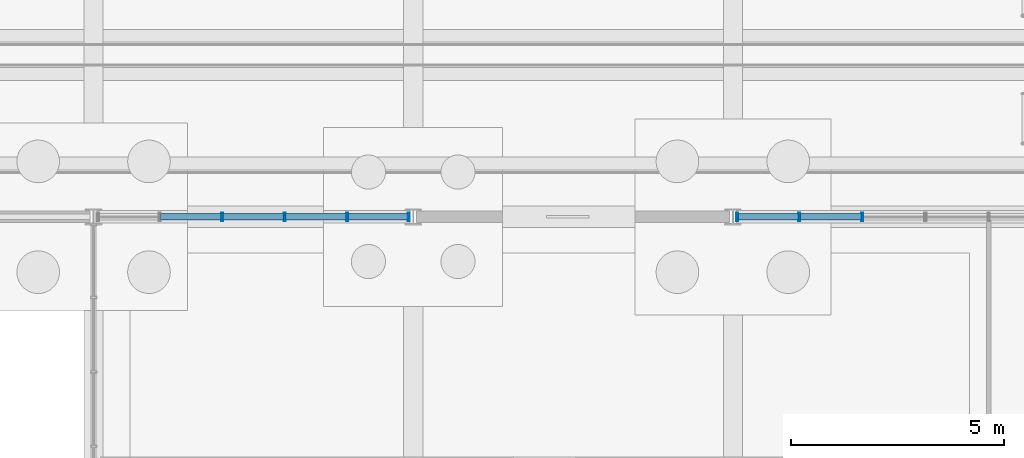
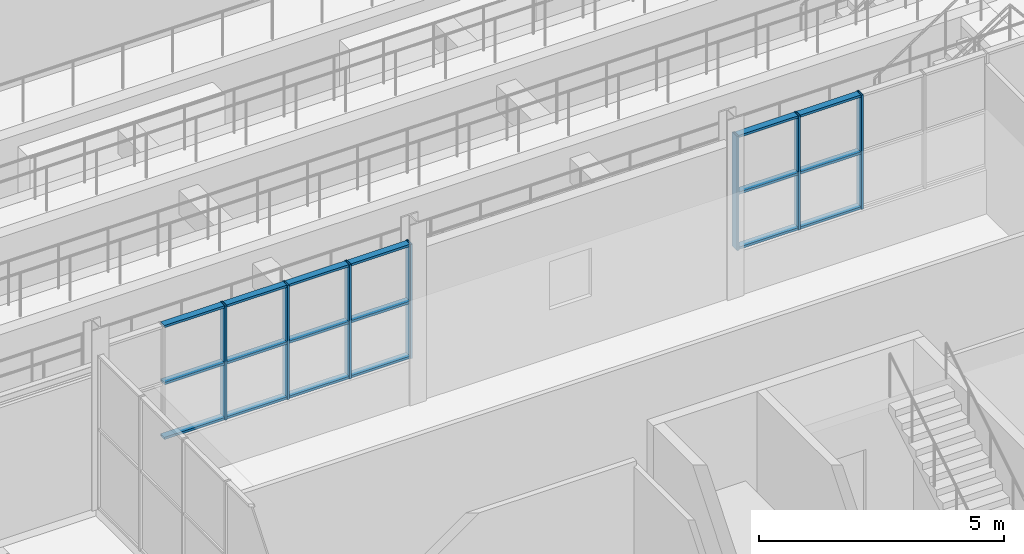
# One storey, part 73 of 136: 25 members, 2 elements without a shape of their own.
"""IFC4 building model written with IfcOpenShell, lengths in metres."""

from ifc_helpers import new_model, si_unit, direction, frame, origin, origin_2d, place, context, subcontext, project, spatial, hollow_rectangle, extrude, material, layer, layer_set, material_profile, profile_set, type_object, element, aggregate, save


model = new_model("IFC4")

# Units and contexts
model_context = context("Model", 3, precision=1e-05, world=origin(), true_north=direction((0.0, 1.0)))
body_context = subcontext(model_context, "Body", "Model", "MODEL_VIEW")
ifc_project = project(units=[si_unit("LENGTHUNIT", "METRE"), si_unit("AREAUNIT", "SQUARE_METRE"), si_unit("VOLUMEUNIT", "CUBIC_METRE"), si_unit("PLANEANGLEUNIT", "RADIAN"), si_unit("MASSUNIT", "GRAM", prefix="KILO")], contexts=[model_context])

# Site, building, storey
site_placement = place(None, origin())
site = spatial("IfcSite", under=ifc_project, at=site_placement, CompositionType="ELEMENT")
building_placement = place(site_placement, origin())
building = spatial("IfcBuilding", under=site, at=building_placement, Name="Solvenia Promenade Tram Depot", CompositionType="ELEMENT")
storey_placement = place(building_placement, origin())
storey = spatial("IfcBuildingStorey", under=building, at=storey_placement, Name="L00", CompositionType="ELEMENT", Elevation=0.0)

# Curtain wall, members
ifc_material = material(Name="Anodized aluminium AW-6063 T6", Category="aluminium")
ifc_layer = layer(ifc_material, 0.179931640625, Name="Anodized aluminium AW-6063 T6", Category="aluminium")
ifc_layer_set = layer_set([ifc_layer], Name="Anodized aluminium AW-6063 T6")
curtain_wall_type = type_object("IfcCurtainWallType", Name="CW-Solar-1500", PredefinedType="NOTDEFINED", material=ifc_layer_set)
curtain_wall_1_placement = place(storey_placement, origin())
curtain_wall_1 = element("IfcCurtainWall", 1, at=curtain_wall_1_placement, inside=storey, type_object=curtain_wall_type, Name="Curtain Wall CW-V2S-L0-05", PredefinedType="NOTDEFINED")
ifc_material_profile_1 = material_profile(ifc_material, hollow_rectangle(XDim=0.199951171875, YDim=0.048095703125, WallThickness=0.00390625, at=origin_2d()), Name="ALU-M3", Category="aluminium")
ifc_profile_set_1 = profile_set([ifc_material_profile_1], Name="Anodized aluminium AW-6063 T6")
member_type_1 = type_object("IfcMemberType", Name="CWM-Mullion-3", PredefinedType="MULLION", material=ifc_profile_set_1)
member_1_placement = place(storey_placement, frame((138.01611328125, 24.0, 1.10009765625), z_axis=(0.0, 0.0, 1.0), x_axis=(0.0, 1.0, 0.0)))
member_1 = element("IfcMember", 2, at=member_1_placement, type_object=member_type_1, Name="CW-7 mullion 3", PredefinedType="MULLION", context=body_context, shape_type="SweptSolid", body=[
    extrude(hollow_rectangle(XDim=0.199951171875, YDim=0.048095703125, WallThickness=0.00390625, at=origin_2d()), origin(), (0.0, 0.0, 1.0), 2.849853515625),
])
member_2_placement = place(storey_placement, frame((139.48388671875, 24.0, 1.10009765625), z_axis=(0.0, 0.0, 1.0), x_axis=(0.0, 1.0, 0.0)))
member_2 = element("IfcMember", 3, at=member_2_placement, type_object=member_type_1, Name="CW-7 mullion 4", PredefinedType="MULLION", context=body_context, shape_type="SweptSolid", body=[
    extrude(hollow_rectangle(XDim=0.199951171875, YDim=0.048095703125, WallThickness=0.00390625, at=origin_2d()), origin(), (0.0, 0.0, 1.0), 2.849853515625),
])
member_3_placement = place(storey_placement, frame((140.951904296875, 24.0, 1.10009765625), z_axis=(0.0, 0.0, 1.0), x_axis=(0.0, 1.0, 0.0)))
member_3 = element("IfcMember", 4, at=member_3_placement, type_object=member_type_1, Name="CW-7 mullion 5", PredefinedType="MULLION", context=body_context, shape_type="SweptSolid", body=[
    extrude(hollow_rectangle(XDim=0.199951171875, YDim=0.048095703125, WallThickness=0.00390625, at=origin_2d()), origin(), (0.0, 0.0, 1.0), 2.849853515625),
])
member_4_placement = place(storey_placement, frame((142.39599609375, 24.0, 1.10009765625), z_axis=(0.0, 0.0, 1.0), x_axis=(0.0, 1.0, 0.0)))
member_4 = element("IfcMember", 5, at=member_4_placement, type_object=member_type_1, Name="CW-7 mullion 6", PredefinedType="MULLION", context=body_context, shape_type="SweptSolid", body=[
    extrude(hollow_rectangle(XDim=0.199951171875, YDim=0.048095703125, WallThickness=0.00390625, at=origin_2d()), origin(), (0.0, 0.0, 1.0), 2.849853515625),
])

curtain_wall_2_placement = place(storey_placement, origin())
curtain_wall_2 = element("IfcCurtainWall", 6, at=curtain_wall_2_placement, inside=storey, type_object=curtain_wall_type, Name="Curtain Wall CW-V2S-L0-07", PredefinedType="NOTDEFINED")
member_5_placement = place(storey_placement, frame((150.10400390625, 24.0, 1.10009765625), z_axis=(0.0, 0.0, 1.0), x_axis=(0.0, 1.0, 0.0)))
member_5 = element("IfcMember", 7, at=member_5_placement, type_object=member_type_1, Name="CW-7 mullion 1", PredefinedType="MULLION", context=body_context, shape_type="SweptSolid", body=[
    extrude(hollow_rectangle(XDim=0.199951171875, YDim=0.048095703125, WallThickness=0.00390625, at=origin_2d()), origin(), (0.0, 0.0, 1.0), 2.849853515625),
])
member_6_placement = place(storey_placement, frame((151.56005859375, 24.0, 1.10009765625), z_axis=(0.0, 0.0, 1.0), x_axis=(0.0, 1.0, 0.0)))
member_6 = element("IfcMember", 8, at=member_6_placement, type_object=member_type_1, Name="CW-7 mullion 2", PredefinedType="MULLION", context=body_context, shape_type="SweptSolid", body=[
    extrude(hollow_rectangle(XDim=0.199951171875, YDim=0.048095703125, WallThickness=0.00390625, at=origin_2d()), origin(), (0.0, 0.0, 1.0), 2.849853515625),
])
member_7_placement = place(storey_placement, frame((153.0400390625, 24.0, 1.10009765625), z_axis=(0.0, 0.0, 1.0), x_axis=(0.0, 1.0, 0.0)))
member_7 = element("IfcMember", 9, at=member_7_placement, type_object=member_type_1, Name="CW-7 mullion 3", PredefinedType="MULLION", context=body_context, shape_type="SweptSolid", body=[
    extrude(hollow_rectangle(XDim=0.199951171875, YDim=0.048095703125, WallThickness=0.00390625, at=origin_2d()), origin(), (0.0, 0.0, 1.0), 2.849853515625),
])

# Member
ifc_material_profile_2 = material_profile(ifc_material, hollow_rectangle(XDim=0.159912109375, YDim=0.05810546875, WallThickness=0.00390625, at=origin_2d()), Name="ALU-T3", Category="aluminium")
ifc_profile_set_2 = profile_set([ifc_material_profile_2], Name="Anodized aluminium AW-6063 T6")
member_type_2 = type_object("IfcMemberType", Name="CWT-Transom-3", PredefinedType="USERDEFINED", material=ifc_profile_set_2)
member_8_placement = place(storey_placement, frame((136.572021484375, 24.0, 1.12890625), z_axis=(1.0, 0.0, 0.0), x_axis=(0.0, 1.0, 0.0)))
member_8 = element("IfcMember", 10, at=member_8_placement, type_object=member_type_2, Name="CW-7 transom 2.1", ObjectType="TRANSOM", PredefinedType="USERDEFINED", context=body_context, shape_type="SweptSolid", body=[
    extrude(hollow_rectangle(XDim=0.159912109375, YDim=0.05810546875, WallThickness=0.00390625, at=origin_2d()), origin(), (0.0, 0.0, 1.0), 1.419921875),
])

member_9_placement = place(storey_placement, frame((136.572021484375, 24.0, 2.5), z_axis=(1.0, 0.0, 0.0), x_axis=(0.0, 1.0, 0.0)))
member_9 = element("IfcMember", 11, at=member_9_placement, type_object=member_type_2, Name="CW-7 transom 2.2", ObjectType="TRANSOM", PredefinedType="USERDEFINED", context=body_context, shape_type="SweptSolid", body=[
    extrude(hollow_rectangle(XDim=0.159912109375, YDim=0.05810546875, WallThickness=0.00390625, at=origin_2d()), origin(), (0.0, 0.0, 1.0), 1.419921875),
])

member_10_placement = place(storey_placement, frame((136.572021484375, 24.0, 3.9208984375), z_axis=(1.0, 0.0, 0.0), x_axis=(0.0, 1.0, 0.0)))
member_10 = element("IfcMember", 12, at=member_10_placement, type_object=member_type_2, Name="CW-7 transom 2.3", ObjectType="TRANSOM", PredefinedType="USERDEFINED", context=body_context, shape_type="SweptSolid", body=[
    extrude(hollow_rectangle(XDim=0.159912109375, YDim=0.05810546875, WallThickness=0.00390625, at=origin_2d()), origin(), (0.0, 0.0, 1.0), 1.419921875),
])

member_11_placement = place(storey_placement, frame((138.0400390625, 24.0, 1.12890625), z_axis=(1.0, 0.0, 0.0), x_axis=(0.0, 1.0, 0.0)))
member_11 = element("IfcMember", 13, at=member_11_placement, type_object=member_type_2, Name="CW-7 transom 3.1", ObjectType="TRANSOM", PredefinedType="USERDEFINED", context=body_context, shape_type="SweptSolid", body=[
    extrude(hollow_rectangle(XDim=0.159912109375, YDim=0.05810546875, WallThickness=0.00390625, at=origin_2d()), origin(), (0.0, 0.0, 1.0), 1.419921875),
])

member_12_placement = place(storey_placement, frame((138.0400390625, 24.0, 2.5), z_axis=(1.0, 0.0, 0.0), x_axis=(0.0, 1.0, 0.0)))
member_12 = element("IfcMember", 14, at=member_12_placement, type_object=member_type_2, Name="CW-7 transom 3.2", ObjectType="TRANSOM", PredefinedType="USERDEFINED", context=body_context, shape_type="SweptSolid", body=[
    extrude(hollow_rectangle(XDim=0.159912109375, YDim=0.05810546875, WallThickness=0.00390625, at=origin_2d()), origin(), (0.0, 0.0, 1.0), 1.419921875),
])

member_13_placement = place(storey_placement, frame((138.0400390625, 24.0, 3.9208984375), z_axis=(1.0, 0.0, 0.0), x_axis=(0.0, 1.0, 0.0)))
member_13 = element("IfcMember", 15, at=member_13_placement, type_object=member_type_2, Name="CW-7 transom 3.3", ObjectType="TRANSOM", PredefinedType="USERDEFINED", context=body_context, shape_type="SweptSolid", body=[
    extrude(hollow_rectangle(XDim=0.159912109375, YDim=0.05810546875, WallThickness=0.00390625, at=origin_2d()), origin(), (0.0, 0.0, 1.0), 1.419921875),
])

member_14_placement = place(storey_placement, frame((139.508056640625, 24.0, 1.12890625), z_axis=(1.0, 0.0, 0.0), x_axis=(0.0, 1.0, 0.0)))
member_14 = element("IfcMember", 16, at=member_14_placement, type_object=member_type_2, Name="CW-7 transom 4.1", ObjectType="TRANSOM", PredefinedType="USERDEFINED", context=body_context, shape_type="SweptSolid", body=[
    extrude(hollow_rectangle(XDim=0.159912109375, YDim=0.05810546875, WallThickness=0.00390625, at=origin_2d()), origin(), (0.0, 0.0, 1.0), 1.419921875),
])

member_15_placement = place(storey_placement, frame((139.508056640625, 24.0, 2.5), z_axis=(1.0, 0.0, 0.0), x_axis=(0.0, 1.0, 0.0)))
member_15 = element("IfcMember", 17, at=member_15_placement, type_object=member_type_2, Name="CW-7 transom 4.2", ObjectType="TRANSOM", PredefinedType="USERDEFINED", context=body_context, shape_type="SweptSolid", body=[
    extrude(hollow_rectangle(XDim=0.159912109375, YDim=0.05810546875, WallThickness=0.00390625, at=origin_2d()), origin(), (0.0, 0.0, 1.0), 1.419921875),
])

member_16_placement = place(storey_placement, frame((139.508056640625, 24.0, 3.9208984375), z_axis=(1.0, 0.0, 0.0), x_axis=(0.0, 1.0, 0.0)))
member_16 = element("IfcMember", 18, at=member_16_placement, type_object=member_type_2, Name="CW-7 transom 4.3", ObjectType="TRANSOM", PredefinedType="USERDEFINED", context=body_context, shape_type="SweptSolid", body=[
    extrude(hollow_rectangle(XDim=0.159912109375, YDim=0.05810546875, WallThickness=0.00390625, at=origin_2d()), origin(), (0.0, 0.0, 1.0), 1.419921875),
])

member_17_placement = place(storey_placement, frame((140.97607421875, 24.0, 1.12890625), z_axis=(1.0, 0.0, 0.0), x_axis=(0.0, 1.0, 0.0)))
member_17 = element("IfcMember", 19, at=member_17_placement, type_object=member_type_2, Name="CW-7 transom 5.1", ObjectType="TRANSOM", PredefinedType="USERDEFINED", context=body_context, shape_type="SweptSolid", body=[
    extrude(hollow_rectangle(XDim=0.159912109375, YDim=0.05810546875, WallThickness=0.00390625, at=origin_2d()), origin(), (0.0, 0.0, 1.0), 1.39599609375),
])

member_18_placement = place(storey_placement, frame((140.97607421875, 24.0, 2.5), z_axis=(1.0, 0.0, 0.0), x_axis=(0.0, 1.0, 0.0)))
member_18 = element("IfcMember", 20, at=member_18_placement, type_object=member_type_2, Name="CW-7 transom 5.2", ObjectType="TRANSOM", PredefinedType="USERDEFINED", context=body_context, shape_type="SweptSolid", body=[
    extrude(hollow_rectangle(XDim=0.159912109375, YDim=0.05810546875, WallThickness=0.00390625, at=origin_2d()), origin(), (0.0, 0.0, 1.0), 1.39599609375),
])

member_19_placement = place(storey_placement, frame((140.97607421875, 24.0, 3.9208984375), z_axis=(1.0, 0.0, 0.0), x_axis=(0.0, 1.0, 0.0)))
member_19 = element("IfcMember", 21, at=member_19_placement, type_object=member_type_2, Name="CW-7 transom 5.3", ObjectType="TRANSOM", PredefinedType="USERDEFINED", context=body_context, shape_type="SweptSolid", body=[
    extrude(hollow_rectangle(XDim=0.159912109375, YDim=0.05810546875, WallThickness=0.00390625, at=origin_2d()), origin(), (0.0, 0.0, 1.0), 1.39599609375),
])

aggregate(curtain_wall_1, [member_1, member_2, member_3, member_4, member_8, member_9, member_10, member_11, member_12, member_13, member_14, member_15, member_16, member_17, member_18, member_19])

member_20_placement = place(storey_placement, frame((150.1279296875, 24.0, 1.12890625), z_axis=(1.0, 0.0, 0.0), x_axis=(0.0, 1.0, 0.0)))
member_20 = element("IfcMember", 22, at=member_20_placement, type_object=member_type_2, Name="CW-7 transom 1.1", ObjectType="TRANSOM", PredefinedType="USERDEFINED", context=body_context, shape_type="SweptSolid", body=[
    extrude(hollow_rectangle(XDim=0.159912109375, YDim=0.05810546875, WallThickness=0.00390625, at=origin_2d()), origin(), (0.0, 0.0, 1.0), 1.407958984375),
])

member_21_placement = place(storey_placement, frame((150.1279296875, 24.0, 2.5), z_axis=(1.0, 0.0, 0.0), x_axis=(0.0, 1.0, 0.0)))
member_21 = element("IfcMember", 23, at=member_21_placement, type_object=member_type_2, Name="CW-7 transom 1.2", ObjectType="TRANSOM", PredefinedType="USERDEFINED", context=body_context, shape_type="SweptSolid", body=[
    extrude(hollow_rectangle(XDim=0.159912109375, YDim=0.05810546875, WallThickness=0.00390625, at=origin_2d()), origin(), (0.0, 0.0, 1.0), 1.407958984375),
])

member_22_placement = place(storey_placement, frame((150.1279296875, 24.0, 3.9208984375), z_axis=(1.0, 0.0, 0.0), x_axis=(0.0, 1.0, 0.0)))
member_22 = element("IfcMember", 24, at=member_22_placement, type_object=member_type_2, Name="CW-7 transom 1.3", ObjectType="TRANSOM", PredefinedType="USERDEFINED", context=body_context, shape_type="SweptSolid", body=[
    extrude(hollow_rectangle(XDim=0.159912109375, YDim=0.05810546875, WallThickness=0.00390625, at=origin_2d()), origin(), (0.0, 0.0, 1.0), 1.407958984375),
])

member_23_placement = place(storey_placement, frame((151.583984375, 24.0, 1.12890625), z_axis=(1.0, 0.0, 0.0), x_axis=(0.0, 1.0, 0.0)))
member_23 = element("IfcMember", 25, at=member_23_placement, type_object=member_type_2, Name="CW-7 transom 2.1", ObjectType="TRANSOM", PredefinedType="USERDEFINED", context=body_context, shape_type="SweptSolid", body=[
    extrude(hollow_rectangle(XDim=0.159912109375, YDim=0.05810546875, WallThickness=0.00390625, at=origin_2d()), origin(), (0.0, 0.0, 1.0), 1.43212890625),
])

member_24_placement = place(storey_placement, frame((151.583984375, 24.0, 2.5), z_axis=(1.0, 0.0, 0.0), x_axis=(0.0, 1.0, 0.0)))
member_24 = element("IfcMember", 26, at=member_24_placement, type_object=member_type_2, Name="CW-7 transom 2.2", ObjectType="TRANSOM", PredefinedType="USERDEFINED", context=body_context, shape_type="SweptSolid", body=[
    extrude(hollow_rectangle(XDim=0.159912109375, YDim=0.05810546875, WallThickness=0.00390625, at=origin_2d()), origin(), (0.0, 0.0, 1.0), 1.43212890625),
])

member_25_placement = place(storey_placement, frame((151.583984375, 24.0, 3.9208984375), z_axis=(1.0, 0.0, 0.0), x_axis=(0.0, 1.0, 0.0)))
member_25 = element("IfcMember", 27, at=member_25_placement, type_object=member_type_2, Name="CW-7 transom 2.3", ObjectType="TRANSOM", PredefinedType="USERDEFINED", context=body_context, shape_type="SweptSolid", body=[
    extrude(hollow_rectangle(XDim=0.159912109375, YDim=0.05810546875, WallThickness=0.00390625, at=origin_2d()), origin(), (0.0, 0.0, 1.0), 1.43212890625),
])

aggregate(curtain_wall_2, [member_5, member_6, member_7, member_20, member_21, member_22, member_23, member_24, member_25])

save(model, "model.ifc")
